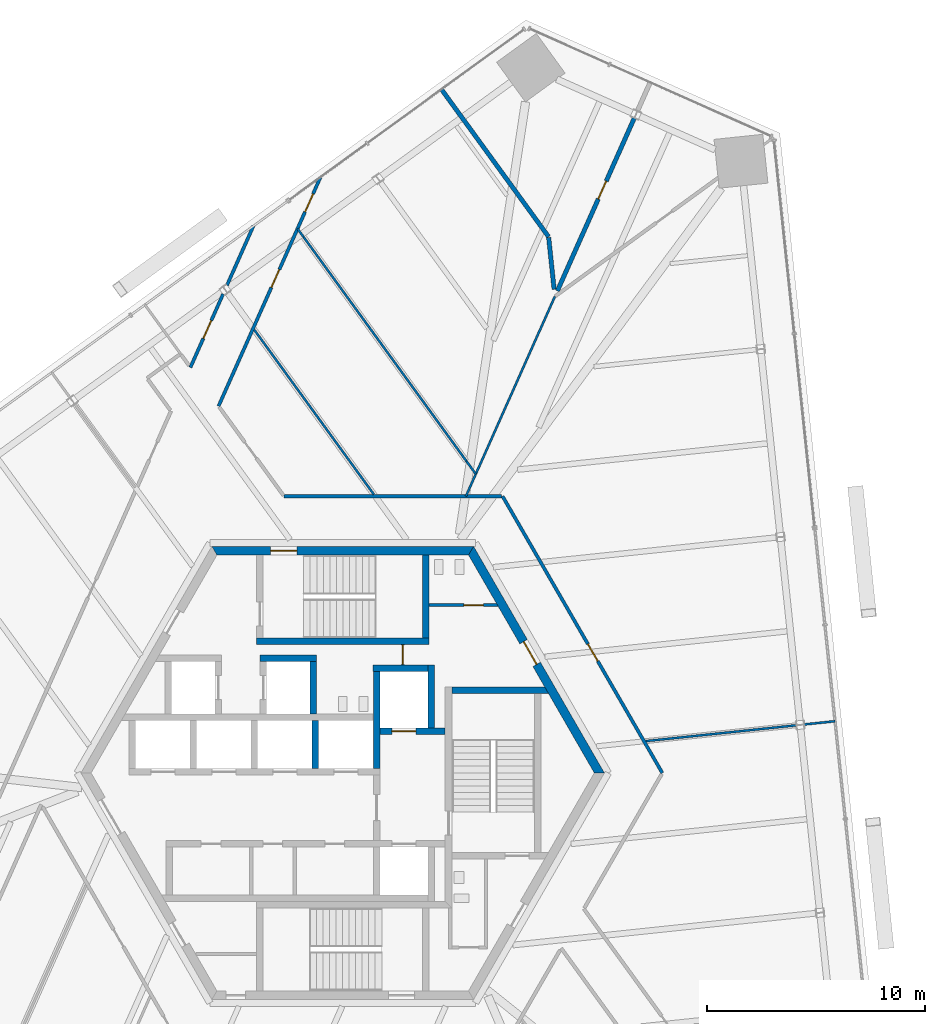
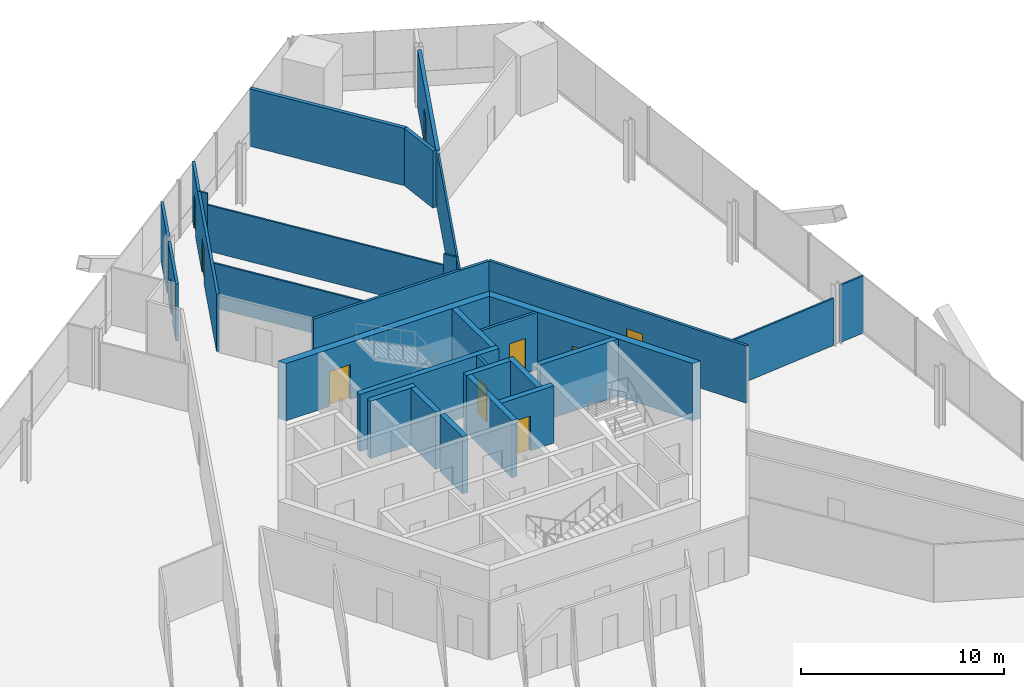
# One storey, part 14 of 19: 29 walls, 10 doors, 10 openings.
"""IFC4 building model written with IfcOpenShell, lengths in metres."""

from ifc_helpers import new_model, si_unit, direction, frame, frame_2d, origin, place, context, subcontext, project, spatial, polyline, rectangle, outline, extrude, source, transform, mapped, material, layer, layer_set, type_object, element, fill, save


model = new_model("IFC4")

# Units and contexts
model_context = context("Model", 3, precision=1e-05, world=origin(), true_north=direction((0.0, 1.0)))
body_context = subcontext(model_context, "Body", "Model", "MODEL_VIEW")
ifc_project = project(units=[si_unit("LENGTHUNIT", "METRE"), si_unit("AREAUNIT", "SQUARE_METRE"), si_unit("VOLUMEUNIT", "CUBIC_METRE"), si_unit("PLANEANGLEUNIT", "RADIAN"), si_unit("MASSUNIT", "GRAM", prefix="KILO")], contexts=[model_context])

# Site, building, storey
site_placement = place(None, origin())
site = spatial("IfcSite", under=ifc_project, at=site_placement, CompositionType="ELEMENT")
building_placement = place(site_placement, origin())
building = spatial("IfcBuilding", under=site, at=building_placement, Name="Triune Harvest Tower", CompositionType="ELEMENT")
storey_placement = place(building_placement, frame((0.0, 0.0, 69.300048828125)))
storey = spatial("IfcBuildingStorey", under=building, at=storey_placement, Name="L16", CompositionType="ELEMENT", Elevation=69.300048828125)

# Walls
ifc_material_1 = material(Name="Gypsum board on steel studs", Category="steel")
ifc_layer_1 = layer(ifc_material_1, 0.199951171875)
ifc_layer_set_1 = layer_set([ifc_layer_1], Name="Gypsum board on steel studs")
wall_type_1 = type_object("IfcWallType", Name="Fire Wall 200 mm", PredefinedType="PARTITIONING", material=ifc_layer_set_1)
wall_1_placement = place(storey_placement, frame((9.44384765625, 24.5556640625, 0.0), z_axis=(0.0, 0.0, 1.0), x_axis=(0.104466836756, -0.994528370645, 0.0)))
element("IfcWall", 1, at=wall_1_placement, inside=storey, type_object=wall_type_1, Name="Partition L16 001", PredefinedType="PARTITIONING", context=body_context, shape_type="SweptSolid", body=[
    extrude(rectangle(XDim=2.390869140625, YDim=0.199951171875, at=frame_2d((1.1953125, 0.0))), origin(), (0.0, 0.0, 1.0), 3.43994140625),
])
wall_2_placement = place(storey_placement, frame((4.52880859375, 31.34619140625, 0.0), z_axis=(0.0, 0.0, 1.0), x_axis=(0.587777303738, -0.809022769278, 0.0)))
element("IfcWall", 2, at=wall_2_placement, inside=storey, type_object=wall_type_1, Name="Partition L16 017", PredefinedType="PARTITIONING", context=body_context, shape_type="SweptSolid", body=[
    extrude(rectangle(XDim=8.356689453125, YDim=0.199951171875, at=frame_2d((4.17822265625, 0.0))), origin(), (0.0, 0.0, 1.0), 3.43994140625),
])
ifc_material_2 = material(Name="Gypsum board on steel studs", Category="steel")
ifc_layer_2 = layer(ifc_material_2, 0.10009765625)
ifc_layer_set_2 = layer_set([ifc_layer_2], Name="Gypsum board on steel studs")
wall_type_2 = type_object("IfcWallType", Name="Partition 100 mm", PredefinedType="PARTITIONING", material=ifc_layer_set_2)
wall_3_placement = place(storey_placement, frame((-4.052734375, 20.315185546875, 0.0), z_axis=(0.0, 0.0, 1.0), x_axis=(0.587779222594, -0.809021375173, 0.0)))
element("IfcWall", 3, at=wall_3_placement, inside=storey, type_object=wall_type_2, Name="Partition L16 015", PredefinedType="PARTITIONING", context=body_context, shape_type="SweptSolid", body=[
    extrude(rectangle(XDim=9.322265625, YDim=0.10009765625, at=frame_2d((4.6611328125, 0.0))), origin(), (0.0, 0.0, 1.0), 2.682861328125),
])
wall_4_placement = place(storey_placement, frame((-2.071533203125, 24.956787109375, 0.0), z_axis=(0.0, 0.0, 1.0), x_axis=(0.588078614357, -0.808803773073, 0.0)))
element("IfcWall", 4, at=wall_4_placement, inside=storey, type_object=wall_type_2, Name="Partition L16 016", PredefinedType="PARTITIONING", context=body_context, shape_type="SweptSolid", body=[
    extrude(rectangle(XDim=0.4677734375, YDim=0.10009765625, at=frame_2d((0.23388671875, 0.0))), origin(), (0.0, 0.0, 1.0), 3.43994140625),
])
wall_5_placement = place(storey_placement, frame((-1.79638671875, 24.578369140625, 0.0), z_axis=(0.0, 0.0, 1.0), x_axis=(0.587773910587, -0.809025234485, 0.0)))
element("IfcWall", 5, at=wall_5_placement, inside=storey, type_object=wall_type_2, Name="Partition L16 016a", PredefinedType="PARTITIONING", context=body_context, shape_type="SweptSolid", body=[
    extrude(rectangle(XDim=12.701904296875, YDim=0.10009765625, at=frame_2d((6.35107421875, 0.0))), origin(), (0.0, 0.0, 1.0), 2.7568359375),
])
wall_6_placement = place(storey_placement, frame((5.66943359375, 14.30224609375, 0.0), z_axis=(0.0, 0.0, 1.0), x_axis=(0.58789579901, -0.808936665943, 0.0)))
element("IfcWall", 6, at=wall_6_placement, inside=storey, type_object=wall_type_2, Name="Partition L16 016b", PredefinedType="PARTITIONING", context=body_context, shape_type="SweptSolid", body=[
    extrude(rectangle(XDim=0.73681640625, YDim=0.10009765625, at=frame_2d((0.368408203125, 0.0))), origin(), (0.0, 0.0, 1.0), 3.43994140625),
])
wall_7_placement = place(storey_placement, frame((13.89697265625, 1.460693359375, 0.0), z_axis=(0.0, 0.0, 1.0), x_axis=(0.994522036319, 0.1045271222, 0.0)))
element("IfcWall", 7, at=wall_7_placement, inside=storey, type_object=wall_type_2, Name="Partition L16 023", PredefinedType="PARTITIONING", context=body_context, shape_type="SweptSolid", body=[
    extrude(rectangle(XDim=6.932373046875, YDim=0.10009765625, at=frame_2d((3.46630859375, 0.0))), origin(), (0.0, 0.0, 1.0), 2.82763671875),
])
wall_8_placement = place(storey_placement, frame((5.65087890625, 12.6923828125, 0.0), z_axis=(0.0, 0.0, 1.0), x_axis=(0.40675528683, 0.91353715668, 0.0)))
element("IfcWall", 8, at=wall_8_placement, inside=storey, type_object=wall_type_2, Name="Partition L16 037", PredefinedType="PARTITIONING", context=body_context, shape_type="SweptSolid", body=[
    extrude(rectangle(XDim=10.024169921875, YDim=0.10009765625, at=frame_2d((5.01220703125, 0.0))), origin(), (0.0, 0.0, 1.0), 3.43994140625),
])

# Wall, opening, door
ifc_material_3 = material(Name="Concrete 70 MPa", Category="concrete")
ifc_layer_3 = layer(ifc_material_3, 0.39990234375)
ifc_layer_set_3 = layer_set([ifc_layer_3], Name="Concrete 70 MPa")
wall_type_3 = type_object("IfcWallType", Name="Core wall 400", PredefinedType="SHEAR", material=ifc_layer_set_3)
shared_shape_1 = source(origin(), body_context, "Body", "SweptSolid", [
    extrude(outline(polyline([(-0.115478515625, -0.199951171875), (11.884521484375, -0.199951171875), (11.653564453125, 0.199951171875), (0.115478515625, 0.199951171875), (-0.115478515625, -0.199951171875)])), origin(), (0.0, 0.0, 1.0), 3.43994140625),
])
wall_9_placement = place(storey_placement, frame((11.76904296875, 0.0, 0.0), z_axis=(0.0, 0.0, 1.0), x_axis=(-0.499996592174, 0.866027371285, 0.0)))
wall_9 = element("IfcWall", 9, at=wall_9_placement, inside=storey, type_object=wall_type_3, Name="Hexagon 0 wall", PredefinedType="SHEAR", context=body_context, shape_type="MappedRepresentation", body=[
    mapped(shared_shape_1, transform((0.0, 0.0, 0.0), scale=1.0)),
])
opening_1_placement = place(wall_9_placement, frame((5.75048828125, 0.0, 0.0)))
opening_1 = element("IfcOpeningElement", 10, at=opening_1_placement, cuts=wall_9, Name="Opening CD-WCP", PredefinedType="OPENING", context=body_context, shape_type="SweptSolid", body=[
    extrude(rectangle(XDim=1.199951171875, YDim=2.10009765625, at=frame_2d((0.60009765625, 1.050048828125))), frame((0.0, 0.2099609375, 0.0), z_axis=(0.0, -1.0, 0.0), x_axis=(1.0, 0.0, 0.0)), (0.0, 0.0, 1.0), 0.419921875),
])
ifc_material_4 = material(Name="Steel S235", Category="steel")
door_type_1 = type_object("IfcDoorType", Name="Lobby door 1200 FD120", OperationType="SINGLE_SWING_LEFT", PredefinedType="DOOR", material=ifc_material_4)
door_1_placement = place(opening_1_placement, frame((1.199951171875, 0.0, 0.0), z_axis=(0.0, 0.0, 1.0), x_axis=(-1.0, 0.0, 0.0)))
door_1 = element("IfcDoor", 11, at=door_1_placement, inside=storey, type_object=door_type_1, Name="Door CD-WCP", OperationType="SINGLE_SWING_RIGHT", OverallHeight=2.10009765625, OverallWidth=1.199951171875, PredefinedType="DOOR", context=body_context, shape_type="SweptSolid", body=[
    extrude(rectangle(XDim=1.199951171875, YDim=2.10009765625, at=frame_2d((0.60009765625, 1.050048828125))), frame((0.0, 0.02490234375, 0.0), z_axis=(0.0, -1.0, 0.0), x_axis=(1.0, 0.0, 0.0)), (0.0, 0.0, 1.0), 0.050048828125),
])
fill(opening_1, door_1)

wall_10_placement = place(storey_placement, frame((5.884521484375, 10.1923828125, 0.0), z_axis=(0.0, 0.0, 1.0), x_axis=(-1.0, 0.0, 0.0)))
wall_10 = element("IfcWall", 12, at=wall_10_placement, inside=storey, type_object=wall_type_3, Name="Hexagon 1 wall", PredefinedType="SHEAR", context=body_context, shape_type="MappedRepresentation", body=[
    mapped(shared_shape_1, transform((0.0, 0.0, 0.0), scale=1.0)),
])
opening_2_placement = place(wall_10_placement, frame((7.984619140625, 0.0, 0.0)))
opening_2 = element("IfcOpeningElement", 13, at=opening_2_placement, cuts=wall_10, Name="Opening CD-S1P", PredefinedType="OPENING", context=body_context, shape_type="SweptSolid", body=[
    extrude(rectangle(XDim=1.199951171875, YDim=2.10009765625, at=frame_2d((0.60009765625, 1.050048828125))), frame((0.0, 0.2099609375, 0.0), z_axis=(0.0, -1.0, 0.0), x_axis=(1.0, 0.0, 0.0)), (0.0, 0.0, 1.0), 0.419921875),
])
ifc_material_5 = material(Name="Steel S235", Category="steel")
door_type_2 = type_object("IfcDoorType", Name="Stair door 1200 FD120", OperationType="SINGLE_SWING_LEFT", PredefinedType="DOOR", material=ifc_material_5)
door_2_placement = place(opening_2_placement, frame((1.199951171875, 0.0, 0.0), z_axis=(0.0, 0.0, 1.0), x_axis=(-1.0, 0.0, 0.0)))
door_2 = element("IfcDoor", 14, at=door_2_placement, inside=storey, type_object=door_type_2, Name="Door CD-S1P", OperationType="SINGLE_SWING_RIGHT", OverallHeight=2.10009765625, OverallWidth=1.199951171875, PredefinedType="DOOR", context=body_context, shape_type="SweptSolid", body=[
    extrude(rectangle(XDim=1.199951171875, YDim=2.10009765625, at=frame_2d((0.60009765625, 1.050048828125))), frame((0.0, 0.02490234375, 0.0), z_axis=(0.0, -1.0, 0.0), x_axis=(1.0, 0.0, 0.0)), (0.0, 0.0, 1.0), 0.050048828125),
])
fill(opening_2, door_2)

# Walls
ifc_material_6 = material(Name="Concrete 70 MPa", Category="concrete")
ifc_layer_4 = layer(ifc_material_6, 0.300048828125)
ifc_layer_set_4 = layer_set([ifc_layer_4], Name="Concrete 70 MPa")
wall_type_4 = type_object("IfcWallType", Name="Core wall 300", PredefinedType="SHEAR", material=ifc_layer_set_4)
shared_shape_2 = source(origin(), body_context, "Body", "SweptSolid", [
    extrude(rectangle(XDim=2.5, YDim=0.300048828125, at=frame_2d((1.25, 0.0))), origin(), (0.0, 0.0, 1.0), 3.43994140625),
])
wall_11_placement = place(storey_placement, frame((1.39990234375, 4.81005859375, 0.0), z_axis=(0.0, 0.0, 1.0), x_axis=(1.0, 0.0, 0.0)))
element("IfcWall", 15, at=wall_11_placement, inside=storey, type_object=wall_type_4, Name="Ff1 back wall", PredefinedType="SHEAR", context=body_context, shape_type="MappedRepresentation", body=[
    mapped(shared_shape_2, transform((0.0, 0.0, 0.0), scale=1.0)),
])
shared_shape_3 = source(origin(), body_context, "Body", "SweptSolid", [
    extrude(rectangle(XDim=4.449951171875, YDim=0.300048828125, at=frame_2d((2.22509765625, 0.0))), origin(), (0.0, 0.0, 1.0), 3.43994140625),
])
wall_12_placement = place(storey_placement, frame((1.550048828125, 0.2099609375, 0.0), z_axis=(0.0, 0.0, 1.0), x_axis=(0.0, 1.0, 0.0)))
element("IfcWall", 16, at=wall_12_placement, inside=storey, type_object=wall_type_4, Name="Ff1 west wall", PredefinedType="SHEAR", context=body_context, shape_type="MappedRepresentation", body=[
    mapped(shared_shape_3, transform((0.0, 0.0, 0.0), scale=1.0)),
])

# Wall, opening, door
shared_shape_4 = source(origin(), body_context, "Body", "SweptSolid", [
    extrude(rectangle(XDim=3.0, YDim=0.300048828125, at=frame_2d((1.5, 0.0))), origin(), (0.0, 0.0, 1.0), 3.43994140625),
])
wall_13_placement = place(storey_placement, frame((1.699951171875, 1.909912109375, 0.0), z_axis=(0.0, 0.0, 1.0), x_axis=(1.0, 0.0, 0.0)))
wall_13 = element("IfcWall", 17, at=wall_13_placement, inside=storey, type_object=wall_type_4, Name="Ff1 front wall", PredefinedType="SHEAR", context=body_context, shape_type="MappedRepresentation", body=[
    mapped(shared_shape_4, transform((0.0, 0.0, 0.0), scale=1.0)),
])
opening_3_placement = place(wall_13_placement, frame((0.550048828125, 0.0, 0.0)))
opening_3 = element("IfcOpeningElement", 18, at=opening_3_placement, cuts=wall_13, Name="Opening LD-FF1-16", PredefinedType="OPENING", context=body_context, shape_type="SweptSolid", body=[
    extrude(rectangle(XDim=1.10009765625, YDim=2.10009765625, at=frame_2d((0.550048828125, 1.050048828125))), frame((0.0, 0.16015625, 0.0), z_axis=(0.0, -1.0, 0.0), x_axis=(1.0, 0.0, 0.0)), (0.0, 0.0, 1.0), 0.320068359375),
])
ifc_material_7 = material(Name="Stainless steel AISI 304", Category="steel")
door_type_3 = type_object("IfcDoorType", Name="Landing door 1100 x 2100", OperationType="DOUBLE_DOOR_SLIDING", PredefinedType="DOOR", material=ifc_material_7)
door_3_placement = place(opening_3_placement, origin())
door_3 = element("IfcDoor", 19, at=door_3_placement, inside=storey, type_object=door_type_3, Name="Door LD-FF1-16", OperationType="DOUBLE_DOOR_SLIDING", OverallHeight=2.10009765625, OverallWidth=1.10009765625, PredefinedType="DOOR", context=body_context, shape_type="SweptSolid", body=[
    extrude(rectangle(XDim=1.10009765625, YDim=2.10009765625, at=frame_2d((0.550048828125, 1.050048828125))), frame((0.0, 0.02490234375, 0.0), z_axis=(0.0, -1.0, 0.0), x_axis=(1.0, 0.0, 0.0)), (0.0, 0.0, 1.0), 0.050048828125),
])
fill(opening_3, door_3)

# Walls
shared_shape_5 = source(origin(), body_context, "Body", "SweptSolid", [
    extrude(rectangle(XDim=2.89990234375, YDim=0.300048828125, at=frame_2d((1.449951171875, 0.0))), origin(), (0.0, 0.0, 1.0), 3.43994140625),
])
wall_14_placement = place(storey_placement, frame((4.050048828125, 2.06005859375, 0.0), z_axis=(0.0, 0.0, 1.0), x_axis=(0.0, 1.0, 0.0)))
element("IfcWall", 20, at=wall_14_placement, inside=storey, type_object=wall_type_4, Name="Ff1 east wall", PredefinedType="SHEAR", context=body_context, shape_type="MappedRepresentation", body=[
    mapped(shared_shape_5, transform((0.0, 0.0, 0.0), scale=1.0)),
])
shared_shape_6 = source(origin(), body_context, "Body", "SweptSolid", [
    extrude(rectangle(XDim=2.199951171875, YDim=0.300048828125, at=frame_2d((1.10009765625, 0.0))), origin(), (0.0, 0.0, 1.0), 3.43994140625),
])
wall_15_placement = place(storey_placement, frame((-1.25, 0.2099609375, 0.0), z_axis=(0.0, 0.0, 1.0), x_axis=(0.0, 1.0, 0.0)))
element("IfcWall", 21, at=wall_15_placement, inside=storey, type_object=wall_type_4, Name="North cross 3 wall", PredefinedType="SHEAR", context=body_context, shape_type="MappedRepresentation", body=[
    mapped(shared_shape_6, transform((0.0, 0.0, 0.0), scale=1.0)),
])
shared_shape_7 = source(origin(), body_context, "Body", "SweptSolid", [
    extrude(outline(polyline([(0.0, -0.14990234375), (0.0, 0.14990234375), (4.260009765625, 0.14990234375), (4.43310546875, -0.14990234375), (0.0, -0.14990234375)])), origin(), (0.0, 0.0, 1.0), 3.43994140625),
])
wall_16_placement = place(storey_placement, frame((5.0, 3.800048828125, 0.0), z_axis=(0.0, 0.0, 1.0), x_axis=(1.0, 0.0, 0.0)))
element("IfcWall", 22, at=wall_16_placement, inside=storey, type_object=wall_type_4, Name="Stair e north wall", PredefinedType="SHEAR", context=body_context, shape_type="MappedRepresentation", body=[
    mapped(shared_shape_7, transform((0.0, 0.0, 0.0), scale=1.0)),
])
shared_shape_8 = source(origin(), body_context, "Body", "SweptSolid", [
    extrude(rectangle(XDim=7.89990234375, YDim=0.300048828125, at=frame_2d((3.949951171875, 0.0))), origin(), (0.0, 0.0, 1.0), 3.43994140625),
])
wall_17_placement = place(storey_placement, frame((-3.949951171875, 6.0400390625, 0.0), z_axis=(0.0, 0.0, 1.0), x_axis=(1.0, 0.0, 0.0)))
element("IfcWall", 23, at=wall_17_placement, inside=storey, type_object=wall_type_4, Name="Stair n south wall", PredefinedType="SHEAR", context=body_context, shape_type="MappedRepresentation", body=[
    mapped(shared_shape_8, transform((0.0, 0.0, 0.0), scale=1.0)),
])
shared_shape_9 = source(origin(), body_context, "Body", "SweptSolid", [
    extrude(outline(polyline([(0.0, -0.14990234375), (0.0, 0.14990234375), (3.80419921875, 0.14990234375), (3.80419921875, -0.14990234375), (0.0, -0.14990234375)])), origin(), (0.0, 0.0, 1.0), 3.43994140625),
])
wall_18_placement = place(storey_placement, frame((3.800048828125, 6.18994140625, 0.0), z_axis=(0.0, 0.0, 1.0), x_axis=(0.0, 1.0, 0.0)))
element("IfcWall", 24, at=wall_18_placement, inside=storey, type_object=wall_type_4, Name="Stair n east wall", PredefinedType="SHEAR", context=body_context, shape_type="MappedRepresentation", body=[
    mapped(shared_shape_9, transform((0.0, 0.0, 0.0), scale=1.0)),
])
shared_shape_10 = source(origin(), body_context, "Body", "SweptSolid", [
    extrude(rectangle(XDim=2.400146484375, YDim=0.300048828125, at=frame_2d((1.2001953125, 0.0))), origin(), (0.0, 0.0, 1.0), 3.43994140625),
])
wall_19_placement = place(storey_placement, frame((-1.35009765625, 2.7099609375, 0.0), z_axis=(0.0, 0.0, 1.0), x_axis=(0.0, 1.0, 0.0)))
element("IfcWall", 25, at=wall_19_placement, inside=storey, type_object=wall_type_4, Name="Sv2 east wall", PredefinedType="SHEAR", context=body_context, shape_type="MappedRepresentation", body=[
    mapped(shared_shape_10, transform((0.0, 0.0, 0.0), scale=1.0)),
])
shared_shape_11 = source(origin(), body_context, "Body", "SweptSolid", [
    extrude(rectangle(XDim=2.60009765625, YDim=0.300048828125, at=frame_2d((1.300048828125, 0.0))), origin(), (0.0, 0.0, 1.0), 3.43994140625),
])
wall_20_placement = place(storey_placement, frame((-3.800048828125, 5.260009765625, 0.0), z_axis=(0.0, 0.0, 1.0), x_axis=(1.0, 0.0, 0.0)))
element("IfcWall", 26, at=wall_20_placement, inside=storey, type_object=wall_type_4, Name="Sv2 north wall", PredefinedType="SHEAR", context=body_context, shape_type="MappedRepresentation", body=[
    mapped(shared_shape_11, transform((0.0, 0.0, 0.0), scale=1.0)),
])

# Wall, opening, door
ifc_material_8 = material(Name="Concrete masonry unit", Category="masonry")
ifc_layer_5 = layer(ifc_material_8, 0.14990234375)
ifc_layer_set_5 = layer_set([ifc_layer_5], Name="Concrete masonry unit")
wall_type_5 = type_object("IfcWallType", Name="Block partition 150 unrated", PredefinedType="PARTITIONING", material=ifc_layer_set_5)
shared_shape_12 = source(origin(), body_context, "Body", "SweptSolid", [
    extrude(outline(polyline([(0.0, -0.074951171875), (0.0, 0.074951171875), (3.1015625, 0.074951171875), (3.18798828125, -0.074951171875), (0.0, -0.074951171875)])), origin(), (0.0, 0.0, 1.0), 3.43994140625),
])
wall_21_placement = place(storey_placement, frame((3.949951171875, 7.699951171875, 0.0), z_axis=(0.0, 0.0, 1.0), x_axis=(1.0, 0.0, 0.0)))
wall_21 = element("IfcWall", 27, at=wall_21_placement, inside=storey, type_object=wall_type_5, Name="Wc women south wall", PredefinedType="PARTITIONING", context=body_context, shape_type="MappedRepresentation", body=[
    mapped(shared_shape_12, transform((0.0, 0.0, 0.0), scale=1.0)),
])
opening_4_placement = place(wall_21_placement, frame((1.60009765625, 0.0, 0.0)))
opening_4 = element("IfcOpeningElement", 28, at=opening_4_placement, cuts=wall_21, Name="Opening CD-WW", PredefinedType="OPENING", context=body_context, shape_type="SweptSolid", body=[
    extrude(rectangle(XDim=0.89990234375, YDim=2.10009765625, at=frame_2d((0.449951171875, 1.050048828125))), frame((0.0, 0.0849609375, 0.0), z_axis=(0.0, -1.0, 0.0), x_axis=(1.0, 0.0, 0.0)), (0.0, 0.0, 1.0), 0.169921875),
])
ifc_material_9 = material(Name="Timber C24", Category="wood")
door_type_4 = type_object("IfcDoorType", Name="WC door 900", OperationType="SINGLE_SWING_LEFT", PredefinedType="DOOR", material=ifc_material_9)
door_4_placement = place(opening_4_placement, origin())
door_4 = element("IfcDoor", 29, at=door_4_placement, inside=storey, type_object=door_type_4, Name="Door CD-WW", OperationType="SINGLE_SWING_LEFT", OverallHeight=2.10009765625, OverallWidth=0.89990234375, PredefinedType="DOOR", context=body_context, shape_type="SweptSolid", body=[
    extrude(rectangle(XDim=0.89990234375, YDim=2.10009765625, at=frame_2d((0.449951171875, 1.050048828125))), frame((0.0, 0.02490234375, 0.0), z_axis=(0.0, -1.0, 0.0), x_axis=(1.0, 0.0, 0.0)), (0.0, 0.0, 1.0), 0.050048828125),
])
fill(opening_4, door_4)

shared_shape_13 = source(origin(), body_context, "Body", "SweptSolid", [
    extrude(rectangle(XDim=0.929931640625, YDim=0.14990234375, at=frame_2d((0.46484375, 0.0))), origin(), (0.0, 0.0, 1.0), 3.43994140625),
])
wall_22_placement = place(storey_placement, frame((2.75, 4.9599609375, 0.0), z_axis=(0.0, 0.0, 1.0), x_axis=(0.0, 1.0, 0.0)))
wall_22 = element("IfcWall", 30, at=wall_22_placement, inside=storey, type_object=wall_type_5, Name="Wc men east b wall", PredefinedType="PARTITIONING", context=body_context, shape_type="MappedRepresentation", body=[
    mapped(shared_shape_13, transform((0.0, 0.0, 0.0), scale=1.0)),
])
opening_5_placement = place(wall_22_placement, frame((0.014892578125, 0.0, 0.0)))
opening_5 = element("IfcOpeningElement", 31, at=opening_5_placement, cuts=wall_22, Name="Opening CD-WM", PredefinedType="OPENING", context=body_context, shape_type="SweptSolid", body=[
    extrude(rectangle(XDim=0.89990234375, YDim=2.10009765625, at=frame_2d((0.449951171875, 1.050048828125))), frame((0.0, 0.0849609375, 0.0), z_axis=(0.0, -1.0, 0.0), x_axis=(1.0, 0.0, 0.0)), (0.0, 0.0, 1.0), 0.169921875),
])
door_5_placement = place(opening_5_placement, origin())
door_5 = element("IfcDoor", 32, at=door_5_placement, inside=storey, type_object=door_type_4, Name="Door CD-WM", OperationType="SINGLE_SWING_LEFT", OverallHeight=2.10009765625, OverallWidth=0.89990234375, PredefinedType="DOOR", context=body_context, shape_type="SweptSolid", body=[
    extrude(rectangle(XDim=0.89990234375, YDim=2.10009765625, at=frame_2d((0.449951171875, 1.050048828125))), frame((0.0, 0.02490234375, 0.0), z_axis=(0.0, -1.0, 0.0), x_axis=(1.0, 0.0, 0.0)), (0.0, 0.0, 1.0), 0.050048828125),
])
fill(opening_5, door_5)

# Wall
shared_shape_14 = source(origin(), body_context, "Body", "SweptSolid", [
    extrude(rectangle(XDim=1.41845703125, YDim=0.10009765625, at=frame_2d((0.709228515625, 0.0))), origin(), (0.0, 0.0, 1.0), 3.43994140625),
])
wall_23_placement = place(storey_placement, frame((21.162841796875, 2.224365234375, 0.0), z_axis=(0.0, 0.0, 1.0), x_axis=(0.994527123793, 0.104478706151, 0.0)))
element("IfcWall", 33, at=wall_23_placement, inside=storey, type_object=wall_type_2, Name="Partition L16 024", PredefinedType="PARTITIONING", context=body_context, shape_type="MappedRepresentation", body=[
    mapped(shared_shape_14, transform((0.0, 0.0, 0.0), scale=1.0)),
])

# Wall, opening, door
ifc_material_10 = material(Name="Gypsum board on steel studs", Category="steel")
ifc_layer_6 = layer(ifc_material_10, 0.14990234375)
ifc_layer_set_6 = layer_set([ifc_layer_6], Name="Gypsum board on steel studs")
wall_type_6 = type_object("IfcWallType", Name="Fire Partition 150 mm", PredefinedType="PARTITIONING", material=ifc_layer_set_6)
shared_shape_15 = source(origin(), body_context, "Body", "SweptSolid", [
    extrude(rectangle(XDim=14.65576171875, YDim=0.14990234375, at=frame_2d((7.327880859375, 0.0))), origin(), (0.0, 0.0, 1.0), 3.43994140625),
])
wall_24_placement = place(storey_placement, frame((7.327880859375, 12.6923828125, 0.0), z_axis=(0.0, 0.0, 1.0), x_axis=(0.499996429374, -0.866027465277, 0.0)))
wall_24 = element("IfcWall", 34, at=wall_24_placement, inside=storey, type_object=wall_type_6, Name="Partition L16 004", PredefinedType="PARTITIONING", context=body_context, shape_type="MappedRepresentation", body=[
    mapped(shared_shape_15, transform((0.0, 0.0, 0.0), scale=1.0)),
])
opening_6_placement = place(wall_24_placement, frame((7.828857421875, 0.0, 0.0)))
opening_6 = element("IfcOpeningElement", 35, at=opening_6_placement, cuts=wall_24, Name="Opening L16-003", PredefinedType="OPENING", context=body_context, shape_type="SweptSolid", body=[
    extrude(rectangle(XDim=0.89990234375, YDim=2.10009765625, at=frame_2d((0.449951171875, 1.050048828125))), frame((0.0, 0.0849609375, 0.0), z_axis=(0.0, -1.0, 0.0), x_axis=(1.0, 0.0, 0.0)), (0.0, 0.0, 1.0), 0.169921875),
])
ifc_material_11 = material(Name="Timber and steel door set", Category="steel")
door_type_5 = type_object("IfcDoorType", Name="Single leaf door FD30 right hand 900 x 2100", OperationType="SINGLE_SWING_RIGHT", PredefinedType="DOOR", material=ifc_material_11)
door_6_placement = place(opening_6_placement, origin())
door_6 = element("IfcDoor", 36, at=door_6_placement, inside=storey, type_object=door_type_5, Name="Door L16-003 Food Laboratory 16.03", OperationType="SINGLE_SWING_RIGHT", OverallHeight=2.10009765625, OverallWidth=0.89990234375, PredefinedType="DOOR", context=body_context, shape_type="SweptSolid", body=[
    extrude(rectangle(XDim=0.89990234375, YDim=2.10009765625, at=frame_2d((0.449951171875, 1.050048828125))), frame((0.0, 0.02490234375, 0.0), z_axis=(0.0, -1.0, 0.0), x_axis=(1.0, 0.0, 0.0)), (0.0, 0.0, 1.0), 0.050048828125),
])
fill(opening_6, door_6)

# Wall
shared_shape_16 = source(origin(), body_context, "Body", "SweptSolid", [
    extrude(rectangle(XDim=9.971435546875, YDim=0.14990234375, at=frame_2d((4.98583984375, 0.0))), origin(), (0.0, 0.0, 1.0), 3.43994140625),
])
wall_25_placement = place(storey_placement, frame((-2.693603515625, 12.6923828125, 0.0), z_axis=(0.0, 0.0, 1.0), x_axis=(1.0, 0.0, 0.0)))
element("IfcWall", 37, at=wall_25_placement, inside=storey, type_object=wall_type_6, Name="Partition L16 021", PredefinedType="PARTITIONING", context=body_context, shape_type="MappedRepresentation", body=[
    mapped(shared_shape_16, transform((0.0, 0.0, 0.0), scale=1.0)),
])

# Wall, opening, door
shared_shape_17 = source(origin(), body_context, "Body", "SweptSolid", [
    extrude(rectangle(XDim=8.666748046875, YDim=0.199951171875, at=frame_2d((4.33349609375, 0.0))), origin(), (0.0, 0.0, 1.0), 3.43994140625),
])
wall_26_placement = place(storey_placement, frame((9.84228515625, 22.105712890625, 0.0), z_axis=(0.0, 0.0, 1.0), x_axis=(0.406742138059, 0.913543011099, 0.0)))
wall_26 = element("IfcWall", 38, at=wall_26_placement, inside=storey, type_object=wall_type_1, Name="Partition L16 038", PredefinedType="PARTITIONING", context=body_context, shape_type="MappedRepresentation", body=[
    mapped(shared_shape_17, transform((0.0, 0.0, 0.0), scale=1.0)),
])
opening_7_placement = place(wall_26_placement, frame((4.60888671875, 0.0, 0.0)))
opening_7 = element("IfcOpeningElement", 39, at=opening_7_placement, cuts=wall_26, Name="Opening L16-005", PredefinedType="OPENING", context=body_context, shape_type="SweptSolid", body=[
    extrude(rectangle(XDim=0.89990234375, YDim=2.10009765625, at=frame_2d((0.449951171875, 1.050048828125))), frame((0.0, 0.10986328125, 0.0), z_axis=(0.0, -1.0, 0.0), x_axis=(1.0, 0.0, 0.0)), (0.0, 0.0, 1.0), 0.219970703125),
])
ifc_material_12 = material(Name="Timber and steel door set", Category="steel")
door_type_6 = type_object("IfcDoorType", Name="Single leaf door FD60 right hand 900 x 2100", OperationType="SINGLE_SWING_RIGHT", PredefinedType="DOOR", material=ifc_material_12)
door_7_placement = place(opening_7_placement, origin())
door_7 = element("IfcDoor", 40, at=door_7_placement, inside=storey, type_object=door_type_6, Name="Door L16-005 Commercial Trial Kitchen 16.05", OperationType="SINGLE_SWING_RIGHT", OverallHeight=2.10009765625, OverallWidth=0.89990234375, PredefinedType="DOOR", context=body_context, shape_type="SweptSolid", body=[
    extrude(rectangle(XDim=0.89990234375, YDim=2.10009765625, at=frame_2d((0.449951171875, 1.050048828125))), frame((0.0, 0.02490234375, 0.0), z_axis=(0.0, -1.0, 0.0), x_axis=(1.0, 0.0, 0.0)), (0.0, 0.0, 1.0), 0.050048828125),
])
fill(opening_7, door_7)

# Wall, openings, doors
shared_shape_18 = source(origin(), body_context, "Body", "SweptSolid", [
    extrude(rectangle(XDim=11.48486328125, YDim=0.14990234375, at=frame_2d((5.742431640625, 0.0))), origin(), (0.0, 0.0, 1.0), 3.43994140625),
])
wall_27_placement = place(storey_placement, frame((-5.693603515625, 16.8212890625, 0.0), z_axis=(0.0, 0.0, 1.0), x_axis=(0.406724175555, 0.913551008439, 0.0)))
wall_27 = element("IfcWall", 41, at=wall_27_placement, inside=storey, type_object=wall_type_6, Name="Partition L16 044", PredefinedType="PARTITIONING", context=body_context, shape_type="MappedRepresentation", body=[
    mapped(shared_shape_18, transform((0.0, 0.0, 0.0), scale=1.0)),
])
opening_8_placement = place(wall_27_placement, frame((5.954345703125, 0.0, 0.0)))
opening_8 = element("IfcOpeningElement", 42, at=opening_8_placement, cuts=wall_27, Name="Opening L16-006", PredefinedType="OPENING", context=body_context, shape_type="SweptSolid", body=[
    extrude(rectangle(XDim=0.89990234375, YDim=2.10009765625, at=frame_2d((0.449951171875, 1.050048828125))), frame((0.0, 0.0849609375, 0.0), z_axis=(0.0, -1.0, 0.0), x_axis=(1.0, 0.0, 0.0)), (0.0, 0.0, 1.0), 0.169921875),
])
opening_9_placement = place(wall_27_placement, frame((9.75537109375, 0.0, 0.0)))
opening_9 = element("IfcOpeningElement", 43, at=opening_9_placement, cuts=wall_27, Name="Opening L16-007", PredefinedType="OPENING", context=body_context, shape_type="SweptSolid", body=[
    extrude(rectangle(XDim=0.89990234375, YDim=2.10009765625, at=frame_2d((0.449951171875, 1.050048828125))), frame((0.0, 0.0849609375, 0.0), z_axis=(0.0, -1.0, 0.0), x_axis=(1.0, 0.0, 0.0)), (0.0, 0.0, 1.0), 0.169921875),
])
ifc_material_13 = material(Name="Timber and steel door set", Category="steel")
door_type_7 = type_object("IfcDoorType", Name="Single leaf door FD30 left hand 900 x 2100", OperationType="SINGLE_SWING_LEFT", PredefinedType="DOOR", material=ifc_material_13)
door_8_placement = place(opening_8_placement, origin())
door_8 = element("IfcDoor", 44, at=door_8_placement, inside=storey, type_object=door_type_7, Name="Door L16-006 Project Room 16.06", OperationType="SINGLE_SWING_LEFT", OverallHeight=2.10009765625, OverallWidth=0.89990234375, PredefinedType="DOOR", context=body_context, shape_type="SweptSolid", body=[
    extrude(rectangle(XDim=0.89990234375, YDim=2.10009765625, at=frame_2d((0.449951171875, 1.050048828125))), frame((0.0, 0.02490234375, 0.0), z_axis=(0.0, -1.0, 0.0), x_axis=(1.0, 0.0, 0.0)), (0.0, 0.0, 1.0), 0.050048828125),
])
fill(opening_8, door_8)
door_9_placement = place(opening_9_placement, origin())
door_9 = element("IfcDoor", 45, at=door_9_placement, inside=storey, type_object=door_type_7, Name="Door L16-007 Office 16.07", OperationType="SINGLE_SWING_LEFT", OverallHeight=2.10009765625, OverallWidth=0.89990234375, PredefinedType="DOOR", context=body_context, shape_type="SweptSolid", body=[
    extrude(rectangle(XDim=0.89990234375, YDim=2.10009765625, at=frame_2d((0.449951171875, 1.050048828125))), frame((0.0, 0.02490234375, 0.0), z_axis=(0.0, -1.0, 0.0), x_axis=(1.0, 0.0, 0.0)), (0.0, 0.0, 1.0), 0.050048828125),
])
fill(opening_9, door_9)

# Wall, opening, door
shared_shape_19 = source(origin(), body_context, "Body", "SweptSolid", [
    extrude(rectangle(XDim=3.685302734375, YDim=0.14990234375, at=frame_2d((1.8427734375, 0.0))), origin(), (0.0, 0.0, 1.0), 3.43994140625),
])
wall_28_placement = place(storey_placement, frame((-6.983154296875, 18.596435546875, 0.0), z_axis=(0.0, 0.0, 1.0), x_axis=(0.406753031703, 0.913538160779, 0.0)))
wall_28 = element("IfcWall", 46, at=wall_28_placement, inside=storey, type_object=wall_type_6, Name="Partition L16 046", PredefinedType="PARTITIONING", context=body_context, shape_type="MappedRepresentation", body=[
    mapped(shared_shape_19, transform((0.0, 0.0, 0.0), scale=1.0)),
])
opening_10_placement = place(wall_28_placement, frame((1.4541015625, 0.0, 0.0)))
opening_10 = element("IfcOpeningElement", 47, at=opening_10_placement, cuts=wall_28, Name="Opening L16-009", PredefinedType="OPENING", context=body_context, shape_type="SweptSolid", body=[
    extrude(rectangle(XDim=0.89990234375, YDim=2.10009765625, at=frame_2d((0.449951171875, 1.050048828125))), frame((0.0, 0.0849609375, 0.0), z_axis=(0.0, -1.0, 0.0), x_axis=(1.0, 0.0, 0.0)), (0.0, 0.0, 1.0), 0.169921875),
])
door_10_placement = place(opening_10_placement, origin())
door_10 = element("IfcDoor", 48, at=door_10_placement, inside=storey, type_object=door_type_5, Name="Door L16-009 Office 16.09", OperationType="SINGLE_SWING_RIGHT", OverallHeight=2.10009765625, OverallWidth=0.89990234375, PredefinedType="DOOR", context=body_context, shape_type="SweptSolid", body=[
    extrude(rectangle(XDim=0.89990234375, YDim=2.10009765625, at=frame_2d((0.449951171875, 1.050048828125))), frame((0.0, 0.02490234375, 0.0), z_axis=(0.0, -1.0, 0.0), x_axis=(1.0, 0.0, 0.0)), (0.0, 0.0, 1.0), 0.050048828125),
])
fill(opening_10, door_10)

# Wall
shared_shape_20 = source(origin(), body_context, "Body", "SweptSolid", [
    extrude(rectangle(XDim=2.973876953125, YDim=0.14990234375, at=frame_2d((1.48681640625, 0.0))), origin(), (0.0, 0.0, 1.0), 3.43994140625),
])
wall_29_placement = place(storey_placement, frame((-5.306396484375, 22.36279296875, 0.0), z_axis=(0.0, 0.0, 1.0), x_axis=(0.406770569209, 0.913530352, 0.0)))
element("IfcWall", 49, at=wall_29_placement, inside=storey, type_object=wall_type_6, Name="Partition L16 047", PredefinedType="PARTITIONING", context=body_context, shape_type="MappedRepresentation", body=[
    mapped(shared_shape_20, transform((0.0, 0.0, 0.0), scale=1.0)),
])

save(model, "model.ifc")
